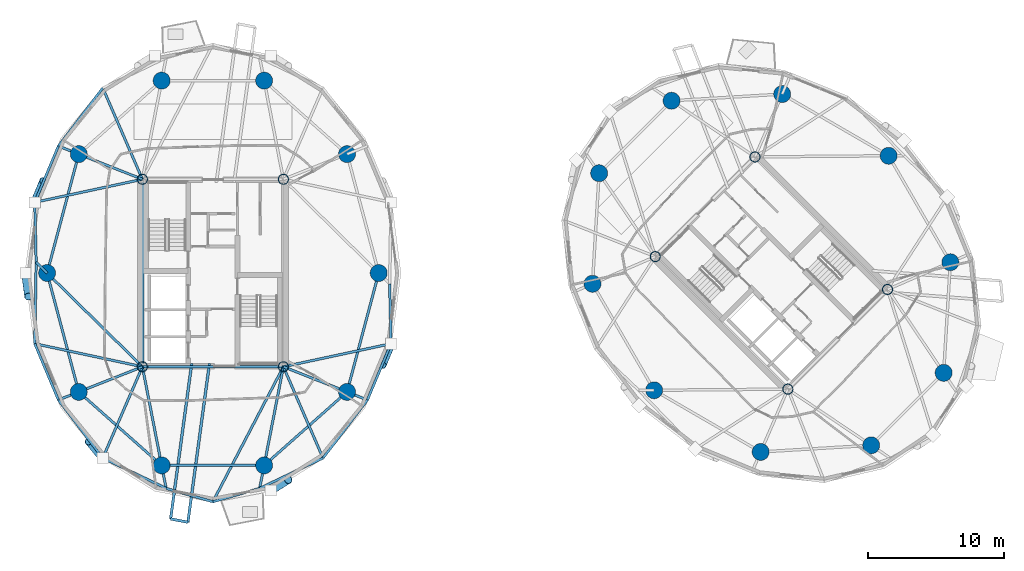
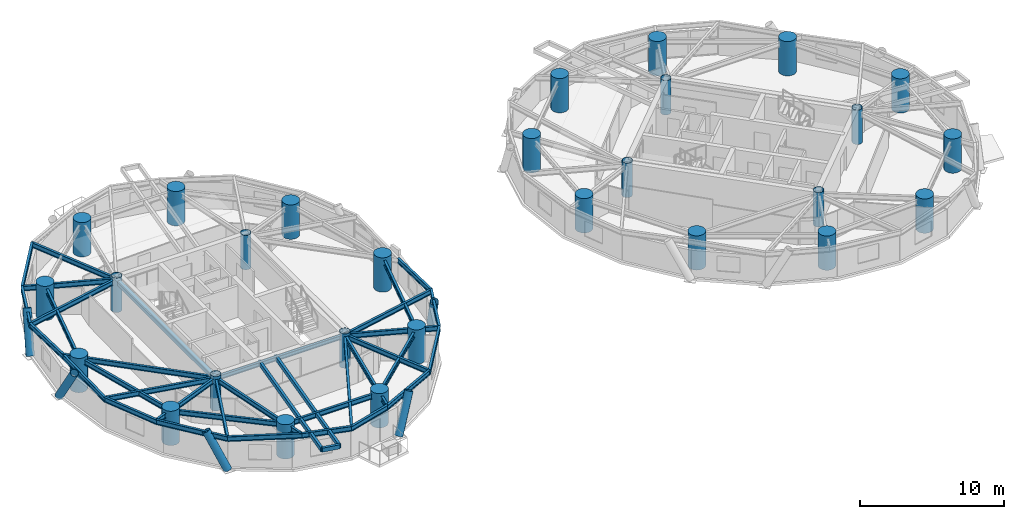
# One storey, part 1 of 17: 38 beams, 28 columns, 5 members.
"""IFC4 building model written with IfcOpenShell, lengths in metres."""

from ifc_helpers import new_model, si_unit, direction, frame, origin, origin_2d, place, context, subcontext, project, spatial, hollow_rectangle, circle, hollow_circle, i_section, extrude, material, material_profile, profile_set, type_object, element, save


model = new_model("IFC4")

# Units and contexts
model_context = context("Model", 3, precision=1e-05, world=origin(), true_north=direction((0.0, 1.0)))
body_context = subcontext(model_context, "Body", "Model", "MODEL_VIEW")
ifc_project = project(units=[si_unit("LENGTHUNIT", "METRE"), si_unit("AREAUNIT", "SQUARE_METRE"), si_unit("VOLUMEUNIT", "CUBIC_METRE"), si_unit("PLANEANGLEUNIT", "RADIAN"), si_unit("MASSUNIT", "GRAM", prefix="KILO")], contexts=[model_context])

# Site, building, storey
site_placement = place(None, origin())
site = spatial("IfcSite", under=ifc_project, at=site_placement, CompositionType="ELEMENT")
building_placement = place(site_placement, origin())
building = spatial("IfcBuilding", under=site, at=building_placement, Name="Cununo Teusaquillo Station Towers", CompositionType="ELEMENT")
storey_placement = place(building_placement, frame((0.0, 0.0, 186.52001953125)))
storey = spatial("IfcBuildingStorey", under=building, at=storey_placement, Name="L59", CompositionType="ELEMENT", Elevation=186.52001953125)

# Columns
ifc_material_1 = material(Name="Steel EN 10025-2 S355J2", Category="steel")
ifc_material_profile_1 = material_profile(ifc_material_1, hollow_circle(Radius=0.3798828125, WallThickness=0.031982421875, at=origin_2d()), Name="CHS 760x32")
ifc_profile_set_1 = profile_set([ifc_material_profile_1], Name="Steel EN 10025-2 S355J2")
column_type_1 = type_object("IfcColumnType", Name="COL-CORE-Z2", PredefinedType="COLUMN", material=ifc_profile_set_1)
for number, where, z_axis, x_axis, name in (
    (1, (11.324951171875, 17.6201171875, 0.0), (0.0, 0.0, 1.0), (1.0, 0.0, 0.0), "L59 Tower A Core Column 1"),
    (2, (11.324951171875, 31.3798828125, 0.0), (0.0, 0.0, 1.0), (1.0, 0.0, 0.0), "L59 Tower A Core Column 2"),
    (3, (21.675048828125, 17.6201171875, 0.0), (0.0, 0.0, 1.0), (1.0, 0.0, 0.0), "L59 Tower A Core Column 3"),
    (4, (21.675048828125, 31.3798828125, 0.0), (0.0, 0.0, 1.0), (1.0, 0.0, 0.0), "L59 Tower A Core Column 4"),
    (5, (58.70556640625, 15.975830078125, 0.0), (0.0, 0.0, 1.0), (0.707106781187, 0.707106781187, 0.0), "L59 Tower B Core Column 1"),
    (6, (48.975830078125, 25.70556640625, 0.0), (0.0, 0.0, 1.0), (0.707106781187, 0.707106781187, 0.0), "L59 Tower B Core Column 2"),
    (7, (66.024169921875, 23.29443359375, 0.0), (0.0, 0.0, 1.0), (0.707106781187, 0.707106781187, 0.0), "L59 Tower B Core Column 3"),
    (8, (56.29443359375, 33.024169921875, 0.0), (0.0, 0.0, 1.0), (0.707106781187, 0.707106781187, 0.0), "L59 Tower B Core Column 4"),
):
    element("IfcColumn", number, at=place(storey_placement, frame(where, z_axis=z_axis, x_axis=x_axis)), inside=storey, type_object=column_type_1, Name=name, PredefinedType="COLUMN", context=body_context, shape_type="SweptSolid", body=[
        extrude(hollow_circle(Radius=0.3798828125, WallThickness=0.031982421875, at=origin_2d()), origin(), (0.0, 0.0, 1.0), 2.909912109375),
    ])
ifc_material_2 = material(Name="Concrete C60/75", Category="concrete")
ifc_material_profile_2 = material_profile(ifc_material_2, circle(Radius=0.625, at=origin_2d()), Name="RC-CIRC-1250")
ifc_profile_set_2 = profile_set([ifc_material_profile_2], Name="Concrete C60/75")
column_type_2 = type_object("IfcColumnType", Name="COL-MEGA-Z3", PredefinedType="USERDEFINED", material=ifc_profile_set_2)
for number, where, z_axis, x_axis, name in (
    (9, (28.672119140625, 24.5, 0.0), (0.0, 0.0, 1.0), (1.0, 0.0, 0.0), "L59 Tower A Perimeter Column V00"),
    (10, (26.347412109375, 33.228515625, 0.0), (0.0, 0.0, 1.0), (1.0, 0.0, 0.0), "L59 Tower A Perimeter Column V02"),
    (11, (20.261474609375, 38.623291015625, 0.0), (0.0, 0.0, 1.0), (1.0, 0.0, 0.0), "L59 Tower A Perimeter Column V04"),
    (12, (12.738525390625, 38.623291015625, 0.0), (0.0, 0.0, 1.0), (1.0, 0.0, 0.0), "L59 Tower A Perimeter Column V06"),
    (13, (6.652587890625, 33.228515625, 0.0), (0.0, 0.0, 1.0), (1.0, 0.0, 0.0), "L59 Tower A Perimeter Column V08"),
    (14, (4.327880859375, 24.5, 0.0), (0.0, 0.0, 1.0), (1.0, 0.0, 0.0), "L59 Tower A Perimeter Column V10"),
    (15, (6.652587890625, 15.771484375, 0.0), (0.0, 0.0, 1.0), (1.0, 0.0, 0.0), "L59 Tower A Perimeter Column V12"),
    (16, (12.738525390625, 10.376708984375, 0.0), (0.0, 0.0, 1.0), (1.0, 0.0, 0.0), "L59 Tower A Perimeter Column V14"),
    (17, (20.261474609375, 10.376708984375, 0.0), (0.0, 0.0, 1.0), (1.0, 0.0, 0.0), "L59 Tower A Perimeter Column V16"),
    (18, (26.347412109375, 15.771484375, 0.0), (0.0, 0.0, 1.0), (1.0, 0.0, 0.0), "L59 Tower A Perimeter Column V18"),
    (19, (66.10693359375, 33.10693359375, 0.0), (0.0, 0.0, 1.0), (1.0, 0.0, 0.0), "L59 Tower B Perimeter Column V00"),
    (20, (58.291015625, 37.63525390625, 0.0), (0.0, 0.0, 1.0), (1.0, 0.0, 0.0), "L59 Tower B Perimeter Column V02"),
    (21, (50.173095703125, 37.146240234375, 0.0), (0.0, 0.0, 1.0), (1.0, 0.0, 0.0), "L59 Tower B Perimeter Column V04"),
    (22, (44.853759765625, 31.826904296875, 0.0), (0.0, 0.0, 1.0), (1.0, 0.0, 0.0), "L59 Tower B Perimeter Column V06"),
    (23, (44.36474609375, 23.708984375, 0.0), (0.0, 0.0, 1.0), (1.0, 0.0, 0.0), "L59 Tower B Perimeter Column V08"),
    (24, (48.89306640625, 15.89306640625, 0.0), (0.0, 0.0, 1.0), (1.0, 0.0, 0.0), "L59 Tower B Perimeter Column V10"),
    (25, (56.708984375, 11.36474609375, 0.0), (0.0, 0.0, 1.0), (1.0, 0.0, 0.0), "L59 Tower B Perimeter Column V12"),
    (26, (64.826904296875, 11.853759765625, 0.0), (0.0, 0.0, 1.0), (1.0, 0.0, 0.0), "L59 Tower B Perimeter Column V14"),
    (27, (70.146240234375, 17.173095703125, 0.0), (0.0, 0.0, 1.0), (1.0, 0.0, 0.0), "L59 Tower B Perimeter Column V16"),
    (28, (70.63525390625, 25.291015625, 0.0), (0.0, 0.0, 1.0), (1.0, 0.0, 0.0), "L59 Tower B Perimeter Column V18"),
):
    element("IfcColumn", number, at=place(storey_placement, frame(where, z_axis=z_axis, x_axis=x_axis)), inside=storey, type_object=column_type_2, Name=name, ObjectType="MEGA COLUMN", PredefinedType="USERDEFINED", context=body_context, shape_type="SweptSolid", body=[
        extrude(circle(Radius=0.625, at=origin_2d()), origin(), (0.0, 0.0, 1.0), 2.909912109375),
    ])

# Beams
ifc_material_3 = material(Name="Steel EN 10025-2 S355J2", Category="steel")
ifc_material_profile_3 = material_profile(ifc_material_3, hollow_rectangle(XDim=0.199951171875, YDim=0.35009765625, WallThickness=0.013916015625, at=origin_2d()), Name="RHS 350x200x14")
ifc_profile_set_3 = profile_set([ifc_material_profile_3], Name="Steel EN 10025-2 S355J2")
beam_type_1 = type_object("IfcBeamType", Name="BM-BAL-CANT", PredefinedType="BEAM", material=ifc_profile_set_3)
beam_1_placement = place(storey_placement, frame((14.94482421875, 17.85009765625, 2.514892578125), z_axis=(-0.134626438315, -0.990896423501, 0.0), x_axis=(0.990896423501, -0.134626438315, 0.0)))
element("IfcBeam", 29, at=beam_1_placement, inside=storey, type_object=beam_type_1, Name="L59 Tower A Balcony Cantilever Bracket 2A", PredefinedType="BEAM", context=body_context, shape_type="SweptSolid", body=[
    extrude(hollow_rectangle(XDim=0.199951171875, YDim=0.35009765625, WallThickness=0.013916015625, at=origin_2d()), origin(), (0.0, 0.0, 1.0), 11.504638671875),
])
beam_2_placement = place(storey_placement, frame((16.248046875, 17.85009765625, 2.514892578125), z_axis=(-0.134615370715, -0.990897927118, 0.0), x_axis=(0.990897927118, -0.134615370715, 0.0)))
element("IfcBeam", 30, at=beam_2_placement, inside=storey, type_object=beam_type_1, Name="L59 Tower A Balcony Cantilever Bracket 2B", PredefinedType="BEAM", context=body_context, shape_type="SweptSolid", body=[
    extrude(hollow_rectangle(XDim=0.199951171875, YDim=0.35009765625, WallThickness=0.013916015625, at=origin_2d()), origin(), (0.0, 0.0, 1.0), 11.752197265625),
])
ifc_material_4 = material(Name="Steel EN 10025-2 S355J2", Category="steel")
ifc_material_profile_4 = material_profile(ifc_material_4, hollow_rectangle(XDim=0.25, YDim=0.449951171875, WallThickness=0.01611328125, at=origin_2d()), Name="RHS 450x250x16")
ifc_profile_set_4 = profile_set([ifc_material_profile_4], Name="Steel EN 10025-2 S355J2")
beam_type_2 = type_object("IfcBeamType", Name="BM-COUP-1", PredefinedType="USERDEFINED", material=ifc_profile_set_4)
beam_3_placement = place(storey_placement, frame((11.324951171875, 17.6201171875, 2.465087890625), z_axis=(0.0, 1.0, 0.0), x_axis=(-1.0, 0.0, 0.0)))
element("IfcBeam", 31, at=beam_3_placement, inside=storey, type_object=beam_type_2, Name="L59 Tower A Core Beam 1", ObjectType="COUPLING BEAM", PredefinedType="USERDEFINED", context=body_context, shape_type="SweptSolid", body=[
    extrude(hollow_rectangle(XDim=0.25, YDim=0.449951171875, WallThickness=0.01611328125, at=origin_2d()), origin(), (0.0, 0.0, 1.0), 13.759765625),
])
ifc_material_5 = material(Name="Steel ASTM A572 Grade 50", Category="steel")
ifc_material_profile_5 = material_profile(ifc_material_5, i_section(OverallWidth=0.180908203125, OverallDepth=0.4169921875, WebThickness=0.010986328125, FlangeThickness=0.018310546875, FilletRadius=0.012939453125, at=origin_2d()), Name="W16X57")
ifc_profile_set_5 = profile_set([ifc_material_profile_5], Name="Steel ASTM A572 Grade 50")
beam_type_3 = type_object("IfcBeamType", Name="BM-JOIST-1", PredefinedType="JOIST", material=ifc_profile_set_5)
beam_4_placement = place(storey_placement, frame((11.324951171875, 31.3798828125, 2.4814453125), z_axis=(-0.397903718051, 0.917427180304, 0.0), x_axis=(-0.917427180304, -0.397903718051, 0.0)))
element("IfcBeam", 32, at=beam_4_placement, inside=storey, type_object=beam_type_3, Name="L59 Tower A Radial Spandrel Joist V07", PredefinedType="JOIST", context=body_context, shape_type="SweptSolid", body=[
    extrude(i_section(OverallWidth=0.180908203125, OverallDepth=0.4169921875, WebThickness=0.010986328125, FlangeThickness=0.018310546875, FilletRadius=0.012939453125, at=origin_2d()), origin(), (0.0, 0.0, 1.0), 7.306884765625),
])
for number, where, z_axis, x_axis, name in (
    (33, (11.324951171875, 31.3798828125, 2.4814453125), (-0.977854548984, -0.209285644589, 0.0), (0.209285644589, -0.977854548984, 0.0), "L59 Tower A Radial Spandrel Joist V09"),
    (34, (11.324951171875, 17.6201171875, 2.4814453125), (-0.977854548984, 0.209285644589, 0.0), (-0.209285644589, -0.977854548984, 0.0), "L59 Tower A Radial Spandrel Joist V11"),
):
    element("IfcBeam", number, at=place(storey_placement, frame(where, z_axis=z_axis, x_axis=x_axis)), inside=storey, type_object=beam_type_3, Name=name, PredefinedType="JOIST", context=body_context, shape_type="SweptSolid", body=[
        extrude(i_section(OverallWidth=0.180908203125, OverallDepth=0.4169921875, WebThickness=0.010986328125, FlangeThickness=0.018310546875, FilletRadius=0.012939453125, at=origin_2d()), origin(), (0.0, 0.0, 1.0), 8.081787109375),
    ])
beam_5_placement = place(storey_placement, frame((11.324951171875, 17.6201171875, 2.4814453125), z_axis=(-0.397903718051, -0.917427180304, 0.0), x_axis=(0.917427180304, -0.397903718051, 0.0)))
element("IfcBeam", 35, at=beam_5_placement, inside=storey, type_object=beam_type_3, Name="L59 Tower A Radial Spandrel Joist V13", PredefinedType="JOIST", context=body_context, shape_type="SweptSolid", body=[
    extrude(i_section(OverallWidth=0.180908203125, OverallDepth=0.4169921875, WebThickness=0.010986328125, FlangeThickness=0.018310546875, FilletRadius=0.012939453125, at=origin_2d()), origin(), (0.0, 0.0, 1.0), 7.306884765625),
])
beam_6_placement = place(storey_placement, frame((21.675048828125, 17.6201171875, 2.4814453125), z_axis=(-0.462884645231, -0.886418527113, 0.0), x_axis=(0.886418527113, -0.462884645231, 0.0)))
element("IfcBeam", 36, at=beam_6_placement, inside=storey, type_object=beam_type_3, Name="L59 Tower A Radial Spandrel Joist V15", PredefinedType="JOIST", context=body_context, shape_type="SweptSolid", body=[
    extrude(i_section(OverallWidth=0.180908203125, OverallDepth=0.4169921875, WebThickness=0.010986328125, FlangeThickness=0.018310546875, FilletRadius=0.012939453125, at=origin_2d()), origin(), (0.0, 0.0, 1.0), 11.179931640625),
])
beam_7_placement = place(storey_placement, frame((21.675048828125, 17.6201171875, 2.4814453125), z_axis=(0.397903718051, -0.917427180304, 0.0), x_axis=(0.917427180304, 0.397903718051, 0.0)))
element("IfcBeam", 37, at=beam_7_placement, inside=storey, type_object=beam_type_3, Name="L59 Tower A Radial Spandrel Joist V17", PredefinedType="JOIST", context=body_context, shape_type="SweptSolid", body=[
    extrude(i_section(OverallWidth=0.180908203125, OverallDepth=0.4169921875, WebThickness=0.010986328125, FlangeThickness=0.018310546875, FilletRadius=0.012939453125, at=origin_2d()), origin(), (0.0, 0.0, 1.0), 7.306884765625),
])
beam_8_placement = place(storey_placement, frame((21.675048828125, 17.6201171875, 2.4814453125), z_axis=(0.977854548984, 0.209285644589, 0.0), x_axis=(-0.209285644589, 0.977854548984, 0.0)))
element("IfcBeam", 38, at=beam_8_placement, inside=storey, type_object=beam_type_3, Name="L59 Tower A Radial Spandrel Joist V19", PredefinedType="JOIST", context=body_context, shape_type="SweptSolid", body=[
    extrude(i_section(OverallWidth=0.180908203125, OverallDepth=0.4169921875, WebThickness=0.010986328125, FlangeThickness=0.018310546875, FilletRadius=0.012939453125, at=origin_2d()), origin(), (0.0, 0.0, 1.0), 8.081787109375),
])
ifc_material_6 = material(Name="Steel ASTM A572 Grade 50", Category="steel")
ifc_material_profile_6 = material_profile(ifc_material_6, i_section(OverallWidth=0.2041015625, OverallDepth=0.35009765625, WebThickness=0.008544921875, FlangeThickness=0.01513671875, FilletRadius=0.011962890625, at=origin_2d()), Name="W14X48")
ifc_profile_set_6 = profile_set([ifc_material_profile_6], Name="Steel ASTM A572 Grade 50")
beam_type_4 = type_object("IfcBeamType", Name="BM-LINTEL-1", PredefinedType="LINTEL", material=ifc_profile_set_6)
beam_9_placement = place(storey_placement, frame((11.324951171875, 17.6201171875, 2.514892578125), z_axis=(1.0, 0.0, 0.0), x_axis=(0.0, 1.0, 0.0)))
element("IfcBeam", 39, at=beam_9_placement, inside=storey, type_object=beam_type_4, Name="L59 Tower A Core Beam 3", PredefinedType="LINTEL", context=body_context, shape_type="SweptSolid", body=[
    extrude(i_section(OverallWidth=0.2041015625, OverallDepth=0.35009765625, WebThickness=0.008544921875, FlangeThickness=0.01513671875, FilletRadius=0.011962890625, at=origin_2d()), origin(), (0.0, 0.0, 1.0), 10.35009765625),
])
ifc_material_7 = material(Name="Steel ASTM A572 Grade 50", Category="steel")
ifc_material_profile_7 = material_profile(ifc_material_7, i_section(OverallWidth=0.180908203125, OverallDepth=0.4169921875, WebThickness=0.010986328125, FlangeThickness=0.018310546875, FilletRadius=0.012939453125, at=origin_2d()), Name="W16X57")
ifc_profile_set_7 = profile_set([ifc_material_profile_7], Name="Steel ASTM A572 Grade 50")
beam_type_5 = type_object("IfcBeamType", Name="BM-RAD-G2", PredefinedType="BEAM", material=ifc_profile_set_7)
beam_10_placement = place(storey_placement, frame((11.324951171875, 31.3798828125, 2.4814453125), z_axis=(-0.929866438974, 0.367897275974, 0.0), x_axis=(-0.367897275974, -0.929866438974, 0.0)))
element("IfcBeam", 40, at=beam_10_placement, inside=storey, type_object=beam_type_5, Name="L59 Tower A Continuous Overhanging Radial Girder 05", PredefinedType="BEAM", context=body_context, shape_type="SweptSolid", body=[
    extrude(i_section(OverallWidth=0.180908203125, OverallDepth=0.4169921875, WebThickness=0.010986328125, FlangeThickness=0.018310546875, FilletRadius=0.012939453125, at=origin_2d()), origin(), (0.0, 0.0, 1.0), 6.632080078125),
])
beam_11_placement = place(storey_placement, frame((11.324951171875, 17.6201171875, 2.4814453125), z_axis=(-0.713052701438, 0.701110437073, 0.0), x_axis=(-0.701110437073, -0.713052701438, 0.0)))
element("IfcBeam", 41, at=beam_11_placement, inside=storey, type_object=beam_type_5, Name="L59 Tower A Radial Girder 06A", PredefinedType="BEAM", context=body_context, shape_type="SweptSolid", body=[
    extrude(i_section(OverallWidth=0.180908203125, OverallDepth=0.4169921875, WebThickness=0.010986328125, FlangeThickness=0.018310546875, FilletRadius=0.012939453125, at=origin_2d()), origin(), (0.0, 0.0, 1.0), 9.812744140625),
])
beam_12_placement = place(storey_placement, frame((4.327880859375, 24.5, 2.4814453125), z_axis=(-0.713045362701, 0.701117900734, 0.0), x_axis=(-0.701117900734, -0.713045362701, 0.0)))
element("IfcBeam", 42, at=beam_12_placement, inside=storey, type_object=beam_type_5, Name="L59 Tower A Perimeter Overhang Girder 06B", PredefinedType="BEAM", context=body_context, shape_type="SweptSolid", body=[
    extrude(i_section(OverallWidth=0.180908203125, OverallDepth=0.4169921875, WebThickness=0.010986328125, FlangeThickness=0.018310546875, FilletRadius=0.012939453125, at=origin_2d()), origin(), (0.0, 0.0, 1.0), 1.125732421875),
])
beam_13_placement = place(storey_placement, frame((11.324951171875, 17.6201171875, 2.4814453125), z_axis=(-0.929866438974, -0.367897275974, 0.0), x_axis=(0.367897275974, -0.929866438974, 0.0)))
element("IfcBeam", 43, at=beam_13_placement, inside=storey, type_object=beam_type_5, Name="L59 Tower A Continuous Overhanging Radial Girder 07", PredefinedType="BEAM", context=body_context, shape_type="SweptSolid", body=[
    extrude(i_section(OverallWidth=0.180908203125, OverallDepth=0.4169921875, WebThickness=0.010986328125, FlangeThickness=0.018310546875, FilletRadius=0.012939453125, at=origin_2d()), origin(), (0.0, 0.0, 1.0), 6.632080078125),
])
for number, where, z_axis, x_axis, name in (
    (44, (11.324951171875, 17.6201171875, 2.4814453125), (0.191557018874, -0.981481486591, 0.0), (0.981481486591, 0.191557018874, 0.0), "L59 Tower A Continuous Overhanging Radial Girder 08"),
    (45, (21.675048828125, 17.6201171875, 2.4814453125), (-0.191557018874, -0.981481486591, 0.0), (0.981481486591, -0.191557018874, 0.0), "L59 Tower A Continuous Overhanging Radial Girder 09"),
):
    element("IfcBeam", number, at=place(storey_placement, frame(where, z_axis=z_axis, x_axis=x_axis)), inside=storey, type_object=beam_type_5, Name=name, PredefinedType="BEAM", context=body_context, shape_type="SweptSolid", body=[
        extrude(i_section(OverallWidth=0.180908203125, OverallDepth=0.4169921875, WebThickness=0.010986328125, FlangeThickness=0.018310546875, FilletRadius=0.012939453125, at=origin_2d()), origin(), (0.0, 0.0, 1.0), 9.097412109375),
    ])
beam_14_placement = place(storey_placement, frame((21.675048828125, 17.6201171875, 2.4814453125), z_axis=(0.929866438974, -0.367897275974, 0.0), x_axis=(0.367897275974, 0.929866438974, 0.0)))
element("IfcBeam", 46, at=beam_14_placement, inside=storey, type_object=beam_type_5, Name="L59 Tower A Continuous Overhanging Radial Girder 10", PredefinedType="BEAM", context=body_context, shape_type="SweptSolid", body=[
    extrude(i_section(OverallWidth=0.180908203125, OverallDepth=0.4169921875, WebThickness=0.010986328125, FlangeThickness=0.018310546875, FilletRadius=0.012939453125, at=origin_2d()), origin(), (0.0, 0.0, 1.0), 6.632080078125),
])
ifc_material_8 = material(Name="Steel ASTM A572 Grade 50", Category="steel")
ifc_material_profile_8 = material_profile(ifc_material_8, i_section(OverallWidth=0.180908203125, OverallDepth=0.4169921875, WebThickness=0.010986328125, FlangeThickness=0.018310546875, FilletRadius=0.012939453125, at=origin_2d()), Name="W16X57")
ifc_profile_set_8 = profile_set([ifc_material_profile_8], Name="Steel ASTM A572 Grade 50")
beam_type_6 = type_object("IfcBeamType", Name="BM-RING-Z3", PredefinedType="SPANDREL", material=ifc_profile_set_8)
for number, where, z_axis, x_axis, name in (
    (47, (6.652587890625, 33.228515625, 2.4814453125), (-0.257363196347, -0.966314744359, 0.0), (0.966314744359, -0.257363196347, 0.0), "L59 Tower A Structural Column Ring Girder 05"),
    (48, (4.327880859375, 24.5, 2.4814453125), (0.257363196347, -0.966314744359, 0.0), (0.966314744359, 0.257363196347, 0.0), "L59 Tower A Structural Column Ring Girder 06"),
):
    element("IfcBeam", number, at=place(storey_placement, frame(where, z_axis=z_axis, x_axis=x_axis)), inside=storey, type_object=beam_type_6, Name=name, PredefinedType="SPANDREL", context=body_context, shape_type="SweptSolid", body=[
        extrude(i_section(OverallWidth=0.180908203125, OverallDepth=0.4169921875, WebThickness=0.010986328125, FlangeThickness=0.018310546875, FilletRadius=0.012939453125, at=origin_2d()), origin(), (0.0, 0.0, 1.0), 9.03271484375),
    ])
beam_15_placement = place(storey_placement, frame((6.652587890625, 15.771484375, 2.4814453125), z_axis=(0.74832120039, -0.66333655187, 0.0), x_axis=(0.66333655187, 0.74832120039, 0.0)))
element("IfcBeam", 49, at=beam_15_placement, inside=storey, type_object=beam_type_6, Name="L59 Tower A Structural Column Ring Girder 07", PredefinedType="SPANDREL", context=body_context, shape_type="SweptSolid", body=[
    extrude(i_section(OverallWidth=0.180908203125, OverallDepth=0.4169921875, WebThickness=0.010986328125, FlangeThickness=0.018310546875, FilletRadius=0.012939453125, at=origin_2d()), origin(), (0.0, 0.0, 1.0), 8.1328125),
])
beam_16_placement = place(storey_placement, frame((12.738525390625, 10.376708984375, 2.4814453125), z_axis=(1.0, 0.0, 0.0), x_axis=(0.0, 1.0, 0.0)))
element("IfcBeam", 50, at=beam_16_placement, inside=storey, type_object=beam_type_6, Name="L59 Tower A Structural Column Ring Girder 08", PredefinedType="SPANDREL", context=body_context, shape_type="SweptSolid", body=[
    extrude(i_section(OverallWidth=0.180908203125, OverallDepth=0.4169921875, WebThickness=0.010986328125, FlangeThickness=0.018310546875, FilletRadius=0.012939453125, at=origin_2d()), origin(), (0.0, 0.0, 1.0), 7.52294921875),
])
beam_17_placement = place(storey_placement, frame((20.261474609375, 10.376708984375, 2.4814453125), z_axis=(0.74832120039, 0.66333655187, 0.0), x_axis=(-0.66333655187, 0.74832120039, 0.0)))
element("IfcBeam", 51, at=beam_17_placement, inside=storey, type_object=beam_type_6, Name="L59 Tower A Structural Column Ring Girder 09", PredefinedType="SPANDREL", context=body_context, shape_type="SweptSolid", body=[
    extrude(i_section(OverallWidth=0.180908203125, OverallDepth=0.4169921875, WebThickness=0.010986328125, FlangeThickness=0.018310546875, FilletRadius=0.012939453125, at=origin_2d()), origin(), (0.0, 0.0, 1.0), 8.1328125),
])
beam_18_placement = place(storey_placement, frame((26.347412109375, 15.771484375, 2.4814453125), z_axis=(0.257363196347, 0.966314744359, 0.0), x_axis=(-0.966314744359, 0.257363196347, 0.0)))
element("IfcBeam", 52, at=beam_18_placement, inside=storey, type_object=beam_type_6, Name="L59 Tower A Structural Column Ring Girder 10", PredefinedType="SPANDREL", context=body_context, shape_type="SweptSolid", body=[
    extrude(i_section(OverallWidth=0.180908203125, OverallDepth=0.4169921875, WebThickness=0.010986328125, FlangeThickness=0.018310546875, FilletRadius=0.012939453125, at=origin_2d()), origin(), (0.0, 0.0, 1.0), 9.03271484375),
])
beam_19_placement = place(storey_placement, frame((8.41748046875, 38.08349609375, 2.4814453125), z_axis=(-0.607340349092, -0.794441753916, 0.0), x_axis=(0.794441753916, -0.607340349092, 0.0)))
element("IfcBeam", 53, at=beam_19_placement, inside=storey, type_object=beam_type_6, Name="L59 Tower A Spandrel Ring Beam 08", PredefinedType="SPANDREL", context=body_context, shape_type="SweptSolid", body=[
    extrude(i_section(OverallWidth=0.180908203125, OverallDepth=0.4169921875, WebThickness=0.010986328125, FlangeThickness=0.018310546875, FilletRadius=0.012939453125, at=origin_2d()), origin(), (0.0, 0.0, 1.0), 5.366943359375),
])
beam_20_placement = place(storey_placement, frame((5.157958984375, 33.81982421875, 2.4814453125), z_axis=(-0.387360300858, -0.921928412253, 0.0), x_axis=(0.921928412253, -0.387360300858, 0.0)))
element("IfcBeam", 54, at=beam_20_placement, inside=storey, type_object=beam_type_6, Name="L59 Tower A Spandrel Ring Beam 09", PredefinedType="SPANDREL", context=body_context, shape_type="SweptSolid", body=[
    extrude(i_section(OverallWidth=0.180908203125, OverallDepth=0.4169921875, WebThickness=0.010986328125, FlangeThickness=0.018310546875, FilletRadius=0.012939453125, at=origin_2d()), origin(), (0.0, 0.0, 1.0), 4.481201171875),
])
beam_21_placement = place(storey_placement, frame((3.422119140625, 29.6884765625, 2.4814453125), z_axis=(0.0234133036, -0.999725871034, 0.0), x_axis=(0.999725871034, 0.0234133036, 0.0)))
element("IfcBeam", 55, at=beam_21_placement, inside=storey, type_object=beam_type_6, Name="L59 Tower A Spandrel Ring Beam 10", PredefinedType="SPANDREL", context=body_context, shape_type="SweptSolid", body=[
    extrude(i_section(OverallWidth=0.180908203125, OverallDepth=0.4169921875, WebThickness=0.010986328125, FlangeThickness=0.018310546875, FilletRadius=0.012939453125, at=origin_2d()), origin(), (0.0, 0.0, 1.0), 4.400390625),
])
beam_22_placement = place(storey_placement, frame((3.525146484375, 25.289306640625, 2.4814453125), z_axis=(-0.017232482627, -0.999851509747, 0.0), x_axis=(0.999851509747, -0.017232482627, 0.0)))
element("IfcBeam", 56, at=beam_22_placement, inside=storey, type_object=beam_type_6, Name="L59 Tower A Spandrel Ring Beam 11", PredefinedType="SPANDREL", context=body_context, shape_type="SweptSolid", body=[
    extrude(i_section(OverallWidth=0.180908203125, OverallDepth=0.4169921875, WebThickness=0.010986328125, FlangeThickness=0.018310546875, FilletRadius=0.012939453125, at=origin_2d()), origin(), (0.0, 0.0, 1.0), 5.978759765625),
])
beam_23_placement = place(storey_placement, frame((3.422119140625, 19.3115234375, 2.4814453125), z_axis=(0.387360300858, -0.921928412253, 0.0), x_axis=(0.921928412253, 0.387360300858, 0.0)))
element("IfcBeam", 57, at=beam_23_placement, inside=storey, type_object=beam_type_6, Name="L59 Tower A Spandrel Ring Beam 12", PredefinedType="SPANDREL", context=body_context, shape_type="SweptSolid", body=[
    extrude(i_section(OverallWidth=0.180908203125, OverallDepth=0.4169921875, WebThickness=0.010986328125, FlangeThickness=0.018310546875, FilletRadius=0.012939453125, at=origin_2d()), origin(), (0.0, 0.0, 1.0), 4.481201171875),
])
beam_24_placement = place(storey_placement, frame((5.157958984375, 15.18017578125, 2.4814453125), z_axis=(0.607340349092, -0.794441753916, 0.0), x_axis=(0.794441753916, 0.607340349092, 0.0)))
element("IfcBeam", 58, at=beam_24_placement, inside=storey, type_object=beam_type_6, Name="L59 Tower A Spandrel Ring Beam 13", PredefinedType="SPANDREL", context=body_context, shape_type="SweptSolid", body=[
    extrude(i_section(OverallWidth=0.180908203125, OverallDepth=0.4169921875, WebThickness=0.010986328125, FlangeThickness=0.018310546875, FilletRadius=0.012939453125, at=origin_2d()), origin(), (0.0, 0.0, 1.0), 5.366943359375),
])
beam_25_placement = place(storey_placement, frame((8.41748046875, 10.91650390625, 2.4814453125), z_axis=(0.902031610991, -0.431669981319, 0.0), x_axis=(0.431669981319, 0.902031610991, 0.0)))
element("IfcBeam", 59, at=beam_25_placement, inside=storey, type_object=beam_type_6, Name="L59 Tower A Spandrel Ring Beam 14", PredefinedType="SPANDREL", context=body_context, shape_type="SweptSolid", body=[
    extrude(i_section(OverallWidth=0.180908203125, OverallDepth=0.4169921875, WebThickness=0.010986328125, FlangeThickness=0.018310546875, FilletRadius=0.012939453125, at=origin_2d()), origin(), (0.0, 0.0, 1.0), 5.1552734375),
])
for number, where, z_axis, x_axis, name in (
    (60, (13.067626953125, 8.691162109375, 2.4814453125), (0.961485227168, -0.274856613414, 0.0), (0.274856613414, 0.961485227168, 0.0), "L59 Tower A Spandrel Ring Beam 15"),
    (61, (16.5, 7.7099609375, 2.4814453125), (0.961485227168, 0.274856613414, 0.0), (-0.274856613414, 0.961485227168, 0.0), "L59 Tower A Spandrel Ring Beam 16"),
):
    element("IfcBeam", number, at=place(storey_placement, frame(where, z_axis=z_axis, x_axis=x_axis)), inside=storey, type_object=beam_type_6, Name=name, PredefinedType="SPANDREL", context=body_context, shape_type="SweptSolid", body=[
        extrude(i_section(OverallWidth=0.180908203125, OverallDepth=0.4169921875, WebThickness=0.010986328125, FlangeThickness=0.018310546875, FilletRadius=0.012939453125, at=origin_2d()), origin(), (0.0, 0.0, 1.0), 3.56982421875),
    ])
beam_26_placement = place(storey_placement, frame((19.932373046875, 8.691162109375, 2.4814453125), z_axis=(0.902031610991, 0.431669981319, 0.0), x_axis=(-0.431669981319, 0.902031610991, 0.0)))
element("IfcBeam", 62, at=beam_26_placement, inside=storey, type_object=beam_type_6, Name="L59 Tower A Spandrel Ring Beam 17", PredefinedType="SPANDREL", context=body_context, shape_type="SweptSolid", body=[
    extrude(i_section(OverallWidth=0.180908203125, OverallDepth=0.4169921875, WebThickness=0.010986328125, FlangeThickness=0.018310546875, FilletRadius=0.012939453125, at=origin_2d()), origin(), (0.0, 0.0, 1.0), 5.1552734375),
])
beam_27_placement = place(storey_placement, frame((24.58251953125, 10.91650390625, 2.4814453125), z_axis=(0.607340349092, 0.794441753916, 0.0), x_axis=(-0.794441753916, 0.607340349092, 0.0)))
element("IfcBeam", 63, at=beam_27_placement, inside=storey, type_object=beam_type_6, Name="L59 Tower A Spandrel Ring Beam 18", PredefinedType="SPANDREL", context=body_context, shape_type="SweptSolid", body=[
    extrude(i_section(OverallWidth=0.180908203125, OverallDepth=0.4169921875, WebThickness=0.010986328125, FlangeThickness=0.018310546875, FilletRadius=0.012939453125, at=origin_2d()), origin(), (0.0, 0.0, 1.0), 5.366943359375),
])
beam_28_placement = place(storey_placement, frame((27.842041015625, 15.18017578125, 2.4814453125), z_axis=(0.387360300858, 0.921928412253, 0.0), x_axis=(-0.921928412253, 0.387360300858, 0.0)))
element("IfcBeam", 64, at=beam_28_placement, inside=storey, type_object=beam_type_6, Name="L59 Tower A Spandrel Ring Beam 19", PredefinedType="SPANDREL", context=body_context, shape_type="SweptSolid", body=[
    extrude(i_section(OverallWidth=0.180908203125, OverallDepth=0.4169921875, WebThickness=0.010986328125, FlangeThickness=0.018310546875, FilletRadius=0.012939453125, at=origin_2d()), origin(), (0.0, 0.0, 1.0), 4.481201171875),
])
beam_29_placement = place(storey_placement, frame((29.577880859375, 19.3115234375, 2.4814453125), z_axis=(-0.0234133036, 0.999725871034, 0.0), x_axis=(-0.999725871034, -0.0234133036, 0.0)))
element("IfcBeam", 65, at=beam_29_placement, inside=storey, type_object=beam_type_6, Name="L59 Tower A Spandrel Ring Beam 20", PredefinedType="SPANDREL", context=body_context, shape_type="SweptSolid", body=[
    extrude(i_section(OverallWidth=0.180908203125, OverallDepth=0.4169921875, WebThickness=0.010986328125, FlangeThickness=0.018310546875, FilletRadius=0.012939453125, at=origin_2d()), origin(), (0.0, 0.0, 1.0), 4.400390625),
])
ifc_material_9 = material(Name="Steel EN 10025-2 S355J2", Category="steel")
ifc_material_profile_9 = material_profile(ifc_material_9, hollow_rectangle(XDim=0.199951171875, YDim=0.35009765625, WallThickness=0.013916015625, at=origin_2d()), Name="RHS 350x200x14")
ifc_profile_set_9 = profile_set([ifc_material_profile_9], Name="Steel EN 10025-2 S355J2")
beam_type_7 = type_object("IfcBeamType", Name="BM-STAIR-TRIM", PredefinedType="BEAM", material=ifc_profile_set_9)
beam_30_placement = place(storey_placement, frame((13.39599609375, 6.4501953125, 2.52490234375), z_axis=(0.981844538169, -0.189687381942, 0.0), x_axis=(0.189687381942, 0.981844538169, 0.0)))
element("IfcBeam", 66, at=beam_30_placement, inside=storey, type_object=beam_type_7, Name="L59 Tower A Balcony Edge Trimmer Beam 2", PredefinedType="BEAM", context=body_context, shape_type="SweptSolid", body=[
    extrude(hollow_rectangle(XDim=0.199951171875, YDim=0.35009765625, WallThickness=0.013916015625, at=origin_2d()), origin(), (0.0, 0.0, 1.0), 1.29345703125),
])

# Members
ifc_material_10 = material(Name="Steel EN 10025-2 S355J2", Category="steel")
ifc_material_profile_10 = material_profile(ifc_material_10, hollow_circle(Radius=0.304931640625, WallThickness=0.02001953125, at=origin_2d()), Name="CHS 610x20")
ifc_profile_set_10 = profile_set([ifc_material_profile_10], Name="Steel EN 10025-2 S355J2")
member_type = type_object("IfcMemberType", Name="MBR-DIAG-Z3", PredefinedType="BRACE", material=ifc_profile_set_10)
member_1_placement = place(storey_placement, frame((3.422119140625, 29.6884765625, -0.14013671875), z_axis=(0.19339870769, 0.463547540187, 0.864708400474), x_axis=(-0.922897355367, 0.38504606407, 0.0)))
element("IfcMember", 67, at=member_1_placement, inside=storey, type_object=member_type, Name="L59 Tower A Folded-Zigzag Diagrid Tube C08", PredefinedType="BRACE", context=body_context, shape_type="SweptSolid", body=[
    extrude(hollow_circle(Radius=0.304931640625, WallThickness=0.02001953125, at=origin_2d()), origin(), (0.0, 0.0, 1.0), 3.365478515625),
])
member_2_placement = place(storey_placement, frame((2.7490234375, 24.5, -0.14013671875), z_axis=(0.06613153639, -0.509766924686, 0.857767044361), x_axis=(0.991689942952, 0.128650911572, 0.0)))
element("IfcMember", 68, at=member_2_placement, inside=storey, type_object=member_type, Name="L59 Tower A Folded-Zigzag Diagrid Tube C10", PredefinedType="BRACE", context=body_context, shape_type="SweptSolid", body=[
    extrude(hollow_circle(Radius=0.304931640625, WallThickness=0.02001953125, at=origin_2d()), origin(), (0.0, 0.0, 1.0), 3.392822265625),
])
member_3_placement = place(storey_placement, frame((8.41748046875, 10.91650390625, -0.14013671875), z_axis=(-0.305352617903, 0.372833047184, 0.876216467357), x_axis=(-0.773644588877, -0.633619799329, 0.0)))
element("IfcMember", 69, at=member_3_placement, inside=storey, type_object=member_type, Name="L59 Tower A Folded-Zigzag Diagrid Tube C12", PredefinedType="BRACE", context=body_context, shape_type="SweptSolid", body=[
    extrude(hollow_circle(Radius=0.304931640625, WallThickness=0.02001953125, at=origin_2d()), origin(), (0.0, 0.0, 1.0), 3.3212890625),
])
member_4_placement = place(storey_placement, frame((20.749267578125, 8.53173828125, -0.14013671875), z_axis=(0.390029746929, 0.242632184945, 0.888260333089), x_axis=(-0.528218719344, 0.849108346758, 0.0)))
element("IfcMember", 70, at=member_4_placement, inside=storey, type_object=member_type, Name="L59 Tower A Folded-Zigzag Diagrid Tube C16", PredefinedType="BRACE", context=body_context, shape_type="SweptSolid", body=[
    extrude(hollow_circle(Radius=0.304931640625, WallThickness=0.02001953125, at=origin_2d()), origin(), (0.0, 0.0, 1.0), 3.276123046875),
])
member_5_placement = place(storey_placement, frame((29.577880859375, 19.3115234375, -0.14013671875), z_axis=(-0.19339870769, -0.463547540187, 0.864708400474), x_axis=(0.922897355367, -0.38504606407, 0.0)))
element("IfcMember", 71, at=member_5_placement, inside=storey, type_object=member_type, Name="L59 Tower A Folded-Zigzag Diagrid Tube C18", PredefinedType="BRACE", context=body_context, shape_type="SweptSolid", body=[
    extrude(hollow_circle(Radius=0.304931640625, WallThickness=0.02001953125, at=origin_2d()), origin(), (0.0, 0.0, 1.0), 3.365478515625),
])

save(model, "model.ifc")
